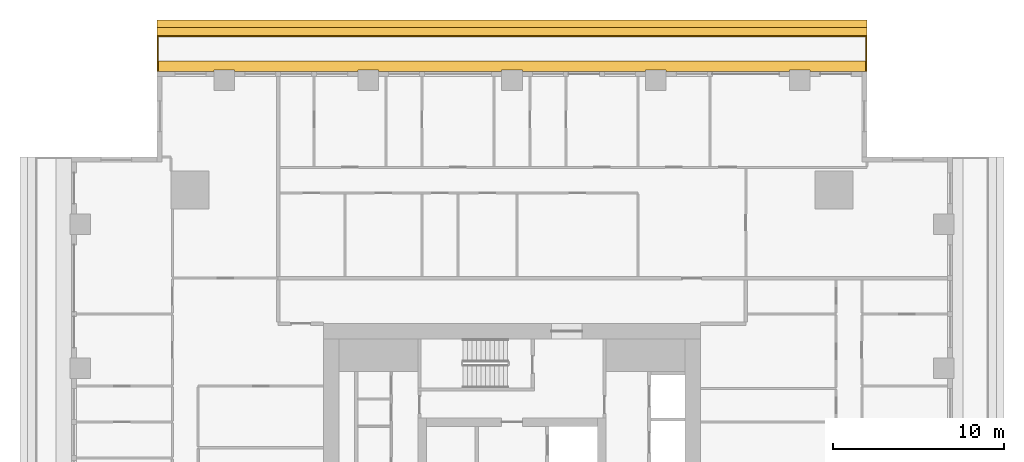
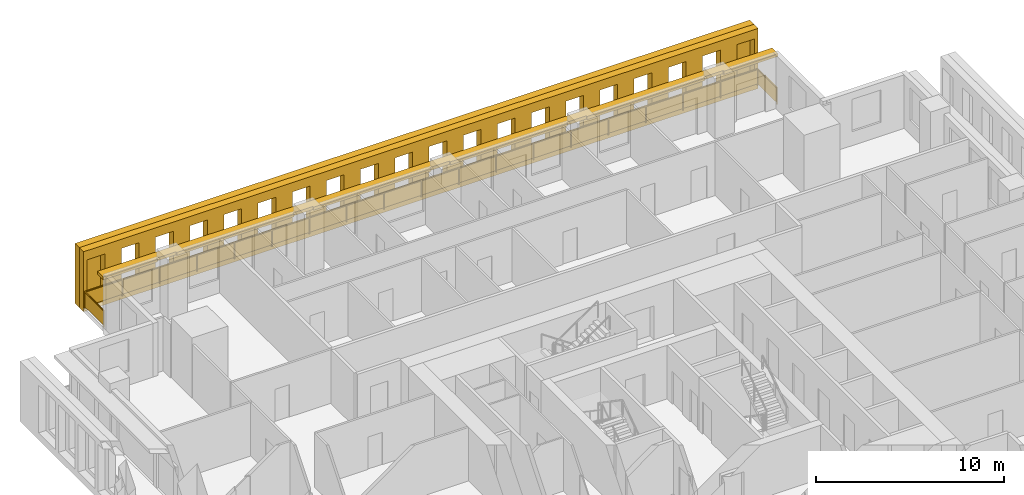
# One storey, part 14 of 14: 3 shading devices, 1 railing.
"""IFC4 building model written with IfcOpenShell, lengths in metres."""

from ifc_helpers import new_model, si_unit, direction, frame, origin, origin_2d, place, context, subcontext, project, spatial, polyline, rectangle, outline, extrude, material, layer, layer_set, type_object, element, save


model = new_model("IFC4")

# Units and contexts
model_context = context("Model", 3, precision=1e-05, world=origin(), true_north=direction((0.0, 1.0)))
body_context = subcontext(model_context, "Body", "Model", "MODEL_VIEW")
ifc_project = project(units=[si_unit("LENGTHUNIT", "METRE"), si_unit("AREAUNIT", "SQUARE_METRE"), si_unit("VOLUMEUNIT", "CUBIC_METRE"), si_unit("PLANEANGLEUNIT", "RADIAN"), si_unit("MASSUNIT", "GRAM", prefix="KILO")], contexts=[model_context])

# Site, building, storey
site_placement = place(None, origin())
site = spatial("IfcSite", under=ifc_project, at=site_placement, CompositionType="ELEMENT")
building_placement = place(site_placement, origin())
building = spatial("IfcBuilding", under=site, at=building_placement, Name="Khepri Terraces", CompositionType="ELEMENT")
storey_placement = place(building_placement, frame((0.0, 0.0, 279.60009765625)))
storey = spatial("IfcBuildingStorey", under=building, at=storey_placement, Name="L67", CompositionType="ELEMENT", Elevation=279.60009765625)

# Railing
ifc_material_1 = material(Name="Stainless steel grade 316", Category="steel")
railing_type = type_object("IfcRailingType", Name="GRD-BAL-1100", PredefinedType="GUARDRAIL", material=ifc_material_1)
railing_placement = place(storey_placement, frame((20.669921875, 25.719970703125, 0.0)))
element("IfcRailing", 1, at=railing_placement, inside=storey, type_object=railing_type, Name="Balcony guard L67 N", PredefinedType="GUARDRAIL", context=body_context, shape_type="SweptSolid", body=[
    extrude(rectangle(XDim=0.050048828125, YDim=0.06005859375, at=origin_2d()), frame((0.0, 0.0, 1.070068359375), z_axis=(0.0, 1.0, 0.0), x_axis=(-1.0, 0.0, 0.0)), (0.0, 0.0, 1.0), 2.050048828125),
    extrude(rectangle(XDim=2.0, YDim=0.011962890625, at=origin_2d()), frame((0.0, 1.02490234375, 0.10009765625), z_axis=(0.0, 0.0, 1.0), x_axis=(0.0, 1.0, 0.0)), (0.0, 0.0, 1.0), 0.93994140625),
    extrude(rectangle(XDim=0.050048828125, YDim=0.06005859375, at=origin_2d()), frame((0.0, 2.050048828125, 1.070068359375), z_axis=(-1.0, 0.0, 0.0), x_axis=(0.0, -1.0, 0.0)), (0.0, 0.0, 1.0), 41.33984375),
    extrude(rectangle(XDim=2.24658203125, YDim=0.011962890625, at=origin_2d()), frame((-1.1484375, 2.050048828125, 0.10009765625), z_axis=(0.0, 0.0, 1.0), x_axis=(-1.0, 0.0, 0.0)), (0.0, 0.0, 1.0), 0.93994140625),
    extrude(rectangle(XDim=2.24658203125, YDim=0.011962890625, at=origin_2d()), frame((-3.445068359375, 2.050048828125, 0.10009765625), z_axis=(0.0, 0.0, 1.0), x_axis=(-1.0, 0.0, 0.0)), (0.0, 0.0, 1.0), 0.93994140625),
    extrude(rectangle(XDim=2.24658203125, YDim=0.011962890625, at=origin_2d()), frame((-5.74169921875, 2.050048828125, 0.10009765625), z_axis=(0.0, 0.0, 1.0), x_axis=(-1.0, 0.0, 0.0)), (0.0, 0.0, 1.0), 0.93994140625),
    extrude(rectangle(XDim=2.24658203125, YDim=0.011962890625, at=origin_2d()), frame((-8.038330078125, 2.050048828125, 0.10009765625), z_axis=(0.0, 0.0, 1.0), x_axis=(-1.0, 0.0, 0.0)), (0.0, 0.0, 1.0), 0.93994140625),
    extrude(rectangle(XDim=2.24658203125, YDim=0.011962890625, at=origin_2d()), frame((-10.3349609375, 2.050048828125, 0.10009765625), z_axis=(0.0, 0.0, 1.0), x_axis=(-1.0, 0.0, 0.0)), (0.0, 0.0, 1.0), 0.93994140625),
    extrude(rectangle(XDim=2.24658203125, YDim=0.011962890625, at=origin_2d()), frame((-12.631591796875, 2.050048828125, 0.10009765625), z_axis=(0.0, 0.0, 1.0), x_axis=(-1.0, 0.0, 0.0)), (0.0, 0.0, 1.0), 0.93994140625),
    extrude(rectangle(XDim=2.24658203125, YDim=0.011962890625, at=origin_2d()), frame((-14.92822265625, 2.050048828125, 0.10009765625), z_axis=(0.0, 0.0, 1.0), x_axis=(-1.0, 0.0, 0.0)), (0.0, 0.0, 1.0), 0.93994140625),
    extrude(rectangle(XDim=2.24658203125, YDim=0.011962890625, at=origin_2d()), frame((-17.224853515625, 2.050048828125, 0.10009765625), z_axis=(0.0, 0.0, 1.0), x_axis=(-1.0, 0.0, 0.0)), (0.0, 0.0, 1.0), 0.93994140625),
    extrude(rectangle(XDim=2.24658203125, YDim=0.011962890625, at=origin_2d()), frame((-19.521484375, 2.050048828125, 0.10009765625), z_axis=(0.0, 0.0, 1.0), x_axis=(-1.0, 0.0, 0.0)), (0.0, 0.0, 1.0), 0.93994140625),
    extrude(rectangle(XDim=2.24658203125, YDim=0.011962890625, at=origin_2d()), frame((-21.818359375, 2.050048828125, 0.10009765625), z_axis=(0.0, 0.0, 1.0), x_axis=(-1.0, 0.0, 0.0)), (0.0, 0.0, 1.0), 0.93994140625),
    extrude(rectangle(XDim=2.24658203125, YDim=0.011962890625, at=origin_2d()), frame((-24.114990234375, 2.050048828125, 0.10009765625), z_axis=(0.0, 0.0, 1.0), x_axis=(-1.0, 0.0, 0.0)), (0.0, 0.0, 1.0), 0.93994140625),
    extrude(rectangle(XDim=2.24658203125, YDim=0.011962890625, at=origin_2d()), frame((-26.41162109375, 2.050048828125, 0.10009765625), z_axis=(0.0, 0.0, 1.0), x_axis=(-1.0, 0.0, 0.0)), (0.0, 0.0, 1.0), 0.93994140625),
    extrude(rectangle(XDim=2.24658203125, YDim=0.011962890625, at=origin_2d()), frame((-28.708251953125, 2.050048828125, 0.10009765625), z_axis=(0.0, 0.0, 1.0), x_axis=(-1.0, 0.0, 0.0)), (0.0, 0.0, 1.0), 0.93994140625),
    extrude(rectangle(XDim=2.24658203125, YDim=0.011962890625, at=origin_2d()), frame((-31.0048828125, 2.050048828125, 0.10009765625), z_axis=(0.0, 0.0, 1.0), x_axis=(-1.0, 0.0, 0.0)), (0.0, 0.0, 1.0), 0.93994140625),
    extrude(rectangle(XDim=2.24658203125, YDim=0.011962890625, at=origin_2d()), frame((-33.301513671875, 2.050048828125, 0.10009765625), z_axis=(0.0, 0.0, 1.0), x_axis=(-1.0, 0.0, 0.0)), (0.0, 0.0, 1.0), 0.93994140625),
    extrude(rectangle(XDim=2.24658203125, YDim=0.011962890625, at=origin_2d()), frame((-35.59814453125, 2.050048828125, 0.10009765625), z_axis=(0.0, 0.0, 1.0), x_axis=(-1.0, 0.0, 0.0)), (0.0, 0.0, 1.0), 0.93994140625),
    extrude(rectangle(XDim=2.24658203125, YDim=0.011962890625, at=origin_2d()), frame((-37.894775390625, 2.050048828125, 0.10009765625), z_axis=(0.0, 0.0, 1.0), x_axis=(-1.0, 0.0, 0.0)), (0.0, 0.0, 1.0), 0.93994140625),
    extrude(rectangle(XDim=2.24658203125, YDim=0.011962890625, at=origin_2d()), frame((-40.19140625, 2.050048828125, 0.10009765625), z_axis=(0.0, 0.0, 1.0), x_axis=(-1.0, 0.0, 0.0)), (0.0, 0.0, 1.0), 0.93994140625),
    extrude(rectangle(XDim=0.050048828125, YDim=0.06005859375, at=origin_2d()), frame((-41.33984375, 2.050048828125, 1.070068359375), z_axis=(0.0, -1.0, 0.0), x_axis=(1.0, 0.0, 0.0)), (0.0, 0.0, 1.0), 2.050048828125),
    extrude(rectangle(XDim=2.0, YDim=0.011962890625, at=origin_2d()), frame((-41.33984375, 1.02490234375, 0.10009765625), z_axis=(0.0, 0.0, 1.0), x_axis=(0.0, -1.0, 0.0)), (0.0, 0.0, 1.0), 0.93994140625),
    extrude(rectangle(XDim=0.050048828125, YDim=0.050048828125, at=origin_2d()), origin(), (0.0, 0.0, 1.0), 1.0400390625),
    extrude(rectangle(XDim=0.050048828125, YDim=0.050048828125, at=origin_2d()), frame((0.0, 2.050048828125, 0.0)), (0.0, 0.0, 1.0), 1.0400390625),
    extrude(rectangle(XDim=0.050048828125, YDim=0.050048828125, at=origin_2d()), frame((-2.296630859375, 2.050048828125, 0.0)), (0.0, 0.0, 1.0), 1.0400390625),
    extrude(rectangle(XDim=0.050048828125, YDim=0.050048828125, at=origin_2d()), frame((-4.59326171875, 2.050048828125, 0.0)), (0.0, 0.0, 1.0), 1.0400390625),
    extrude(rectangle(XDim=0.050048828125, YDim=0.050048828125, at=origin_2d()), frame((-6.889892578125, 2.050048828125, 0.0)), (0.0, 0.0, 1.0), 1.0400390625),
    extrude(rectangle(XDim=0.050048828125, YDim=0.050048828125, at=origin_2d()), frame((-9.1865234375, 2.050048828125, 0.0)), (0.0, 0.0, 1.0), 1.0400390625),
    extrude(rectangle(XDim=0.050048828125, YDim=0.050048828125, at=origin_2d()), frame((-11.4833984375, 2.050048828125, 0.0)), (0.0, 0.0, 1.0), 1.0400390625),
    extrude(rectangle(XDim=0.050048828125, YDim=0.050048828125, at=origin_2d()), frame((-13.780029296875, 2.050048828125, 0.0)), (0.0, 0.0, 1.0), 1.0400390625),
    extrude(rectangle(XDim=0.050048828125, YDim=0.050048828125, at=origin_2d()), frame((-16.07666015625, 2.050048828125, 0.0)), (0.0, 0.0, 1.0), 1.0400390625),
    extrude(rectangle(XDim=0.050048828125, YDim=0.050048828125, at=origin_2d()), frame((-18.373291015625, 2.050048828125, 0.0)), (0.0, 0.0, 1.0), 1.0400390625),
    extrude(rectangle(XDim=0.050048828125, YDim=0.050048828125, at=origin_2d()), frame((-20.669921875, 2.050048828125, 0.0)), (0.0, 0.0, 1.0), 1.0400390625),
    extrude(rectangle(XDim=0.050048828125, YDim=0.050048828125, at=origin_2d()), frame((-22.966552734375, 2.050048828125, 0.0)), (0.0, 0.0, 1.0), 1.0400390625),
    extrude(rectangle(XDim=0.050048828125, YDim=0.050048828125, at=origin_2d()), frame((-25.26318359375, 2.050048828125, 0.0)), (0.0, 0.0, 1.0), 1.0400390625),
    extrude(rectangle(XDim=0.050048828125, YDim=0.050048828125, at=origin_2d()), frame((-27.559814453125, 2.050048828125, 0.0)), (0.0, 0.0, 1.0), 1.0400390625),
    extrude(rectangle(XDim=0.050048828125, YDim=0.050048828125, at=origin_2d()), frame((-29.8564453125, 2.050048828125, 0.0)), (0.0, 0.0, 1.0), 1.0400390625),
    extrude(rectangle(XDim=0.050048828125, YDim=0.050048828125, at=origin_2d()), frame((-32.1533203125, 2.050048828125, 0.0)), (0.0, 0.0, 1.0), 1.0400390625),
    extrude(rectangle(XDim=0.050048828125, YDim=0.050048828125, at=origin_2d()), frame((-34.449951171875, 2.050048828125, 0.0)), (0.0, 0.0, 1.0), 1.0400390625),
    extrude(rectangle(XDim=0.050048828125, YDim=0.050048828125, at=origin_2d()), frame((-36.74658203125, 2.050048828125, 0.0)), (0.0, 0.0, 1.0), 1.0400390625),
    extrude(rectangle(XDim=0.050048828125, YDim=0.050048828125, at=origin_2d()), frame((-39.043212890625, 2.050048828125, 0.0)), (0.0, 0.0, 1.0), 1.0400390625),
    extrude(rectangle(XDim=0.050048828125, YDim=0.050048828125, at=origin_2d()), frame((-41.33984375, 2.050048828125, 0.0)), (0.0, 0.0, 1.0), 1.0400390625),
    extrude(rectangle(XDim=0.050048828125, YDim=0.050048828125, at=origin_2d()), frame((-41.33984375, 0.0, 0.0)), (0.0, 0.0, 1.0), 1.0400390625),
])

# Shading devices
ifc_material_2 = material(Name="Precast concrete C50/60 warm stone", Category="masonry")
shading_device_type_1 = type_object("IfcShadingDeviceType", Name="SCR-CELL-INNER-450", PredefinedType="USERDEFINED", material=ifc_material_2)
shading_device_1_placement = place(storey_placement, frame((20.719970703125, 27.820068359375, -0.25), z_axis=(0.0, 1.0, 0.0), x_axis=(-1.0, 0.0, 0.0)))
element("IfcShadingDevice", 2, at=shading_device_1_placement, inside=storey, type_object=shading_device_type_1, Name="Cell screen L67 N in", ObjectType="SCREEN", PredefinedType="USERDEFINED", context=body_context, shape_type="SweptSolid", body=[
    extrude(outline(polyline([(0.0, 0.0), (41.43994140625, 0.0), (41.43994140625, 3.89990234375), (0.0, 3.89990234375), (0.0, 0.0)]), holes=[polyline([(0.2265625, 0.699951171875), (1.3134765625, 0.699951171875), (1.3134765625, 3.300048828125), (0.2265625, 3.300048828125), (0.2265625, 0.699951171875)]), polyline([(2.32666015625, 0.699951171875), (3.413330078125, 0.699951171875), (3.413330078125, 3.300048828125), (2.32666015625, 3.300048828125), (2.32666015625, 0.699951171875)]), polyline([(4.426513671875, 0.699951171875), (5.513427734375, 0.699951171875), (5.513427734375, 3.300048828125), (4.426513671875, 3.300048828125), (4.426513671875, 0.699951171875)]), polyline([(6.526611328125, 0.699951171875), (7.61328125, 0.699951171875), (7.61328125, 3.300048828125), (6.526611328125, 3.300048828125), (6.526611328125, 0.699951171875)]), polyline([(8.626708984375, 0.699951171875), (9.71337890625, 0.699951171875), (9.71337890625, 3.300048828125), (8.626708984375, 3.300048828125), (8.626708984375, 0.699951171875)]), polyline([(10.7265625, 0.699951171875), (11.8134765625, 0.699951171875), (11.8134765625, 3.300048828125), (10.7265625, 3.300048828125), (10.7265625, 0.699951171875)]), polyline([(12.82666015625, 0.699951171875), (13.913330078125, 0.699951171875), (13.913330078125, 3.300048828125), (12.82666015625, 3.300048828125), (12.82666015625, 0.699951171875)]), polyline([(14.926513671875, 0.699951171875), (16.013427734375, 0.699951171875), (16.013427734375, 3.300048828125), (14.926513671875, 3.300048828125), (14.926513671875, 0.699951171875)]), polyline([(17.026611328125, 0.699951171875), (18.11328125, 0.699951171875), (18.11328125, 3.300048828125), (17.026611328125, 3.300048828125), (17.026611328125, 0.699951171875)]), polyline([(19.126708984375, 0.699951171875), (20.21337890625, 0.699951171875), (20.21337890625, 3.300048828125), (19.126708984375, 3.300048828125), (19.126708984375, 0.699951171875)]), polyline([(21.2265625, 0.699951171875), (22.3134765625, 0.699951171875), (22.3134765625, 3.300048828125), (21.2265625, 3.300048828125), (21.2265625, 0.699951171875)]), polyline([(23.32666015625, 0.699951171875), (24.413330078125, 0.699951171875), (24.413330078125, 3.300048828125), (23.32666015625, 3.300048828125), (23.32666015625, 0.699951171875)]), polyline([(25.426513671875, 0.699951171875), (26.513427734375, 0.699951171875), (26.513427734375, 3.300048828125), (25.426513671875, 3.300048828125), (25.426513671875, 0.699951171875)]), polyline([(27.526611328125, 0.699951171875), (28.61328125, 0.699951171875), (28.61328125, 3.300048828125), (27.526611328125, 3.300048828125), (27.526611328125, 0.699951171875)]), polyline([(29.626708984375, 0.699951171875), (30.71337890625, 0.699951171875), (30.71337890625, 3.300048828125), (29.626708984375, 3.300048828125), (29.626708984375, 0.699951171875)]), polyline([(31.7265625, 0.699951171875), (32.8134765625, 0.699951171875), (32.8134765625, 3.300048828125), (31.7265625, 3.300048828125), (31.7265625, 0.699951171875)]), polyline([(33.82666015625, 0.699951171875), (34.913330078125, 0.699951171875), (34.913330078125, 3.300048828125), (33.82666015625, 3.300048828125), (33.82666015625, 0.699951171875)]), polyline([(35.926513671875, 0.699951171875), (37.013427734375, 0.699951171875), (37.013427734375, 3.300048828125), (35.926513671875, 3.300048828125), (35.926513671875, 0.699951171875)]), polyline([(38.026611328125, 0.699951171875), (39.11328125, 0.699951171875), (39.11328125, 3.300048828125), (38.026611328125, 3.300048828125), (38.026611328125, 0.699951171875)]), polyline([(40.126708984375, 0.699951171875), (41.21337890625, 0.699951171875), (41.21337890625, 3.300048828125), (40.126708984375, 3.300048828125), (40.126708984375, 0.699951171875)])]), origin(), (0.0, 0.0, 1.0), 0.449951171875),
])
shading_device_type_2 = type_object("IfcShadingDeviceType", Name="SCR-CELL-OUTER-450", PredefinedType="USERDEFINED", material=ifc_material_2)
shading_device_2_placement = place(storey_placement, frame((20.719970703125, 28.27001953125, -0.25), z_axis=(0.0, 1.0, 0.0), x_axis=(-1.0, 0.0, 0.0)))
element("IfcShadingDevice", 3, at=shading_device_2_placement, inside=storey, type_object=shading_device_type_2, Name="Cell screen L67 N out", ObjectType="SCREEN", PredefinedType="USERDEFINED", context=body_context, shape_type="SweptSolid", body=[
    extrude(outline(polyline([(0.0, 0.0), (41.43994140625, 0.0), (41.43994140625, 3.89990234375), (0.0, 3.89990234375), (0.0, 0.0)]), holes=[polyline([(1.9765625, 0.449951171875), (3.763427734375, 0.449951171875), (3.763427734375, 3.550048828125), (1.9765625, 3.550048828125), (1.9765625, 0.449951171875)]), polyline([(4.07666015625, 0.449951171875), (5.86328125, 0.449951171875), (5.86328125, 3.550048828125), (4.07666015625, 3.550048828125), (4.07666015625, 0.449951171875)]), polyline([(6.176513671875, 0.449951171875), (7.96337890625, 0.449951171875), (7.96337890625, 3.550048828125), (6.176513671875, 3.550048828125), (6.176513671875, 0.449951171875)]), polyline([(8.276611328125, 0.449951171875), (10.0634765625, 0.449951171875), (10.0634765625, 3.550048828125), (8.276611328125, 3.550048828125), (8.276611328125, 0.449951171875)]), polyline([(10.376708984375, 0.449951171875), (12.163330078125, 0.449951171875), (12.163330078125, 3.550048828125), (10.376708984375, 3.550048828125), (10.376708984375, 0.449951171875)]), polyline([(12.4765625, 0.449951171875), (14.263427734375, 0.449951171875), (14.263427734375, 3.550048828125), (12.4765625, 3.550048828125), (12.4765625, 0.449951171875)]), polyline([(14.57666015625, 0.449951171875), (16.36328125, 0.449951171875), (16.36328125, 3.550048828125), (14.57666015625, 3.550048828125), (14.57666015625, 0.449951171875)]), polyline([(16.676513671875, 0.449951171875), (18.46337890625, 0.449951171875), (18.46337890625, 3.550048828125), (16.676513671875, 3.550048828125), (16.676513671875, 0.449951171875)]), polyline([(18.776611328125, 0.449951171875), (20.5634765625, 0.449951171875), (20.5634765625, 3.550048828125), (18.776611328125, 3.550048828125), (18.776611328125, 0.449951171875)]), polyline([(20.876708984375, 0.449951171875), (22.663330078125, 0.449951171875), (22.663330078125, 3.550048828125), (20.876708984375, 3.550048828125), (20.876708984375, 0.449951171875)]), polyline([(22.9765625, 0.449951171875), (24.763427734375, 0.449951171875), (24.763427734375, 3.550048828125), (22.9765625, 3.550048828125), (22.9765625, 0.449951171875)]), polyline([(25.07666015625, 0.449951171875), (26.86328125, 0.449951171875), (26.86328125, 3.550048828125), (25.07666015625, 3.550048828125), (25.07666015625, 0.449951171875)]), polyline([(27.176513671875, 0.449951171875), (28.96337890625, 0.449951171875), (28.96337890625, 3.550048828125), (27.176513671875, 3.550048828125), (27.176513671875, 0.449951171875)]), polyline([(29.276611328125, 0.449951171875), (31.0634765625, 0.449951171875), (31.0634765625, 3.550048828125), (29.276611328125, 3.550048828125), (29.276611328125, 0.449951171875)]), polyline([(31.376708984375, 0.449951171875), (33.163330078125, 0.449951171875), (33.163330078125, 3.550048828125), (31.376708984375, 3.550048828125), (31.376708984375, 0.449951171875)]), polyline([(33.4765625, 0.449951171875), (35.263427734375, 0.449951171875), (35.263427734375, 3.550048828125), (33.4765625, 3.550048828125), (33.4765625, 0.449951171875)]), polyline([(35.57666015625, 0.449951171875), (37.36328125, 0.449951171875), (37.36328125, 3.550048828125), (35.57666015625, 3.550048828125), (35.57666015625, 0.449951171875)]), polyline([(37.676513671875, 0.449951171875), (39.46337890625, 0.449951171875), (39.46337890625, 3.550048828125), (37.676513671875, 3.550048828125), (37.676513671875, 0.449951171875)])]), origin(), (0.0, 0.0, 1.0), 0.449951171875),
])
ifc_layer = layer(ifc_material_2, 0.199951171875, Name="Precast concrete C50/60 warm stone", Category="masonry")
ifc_layer_set = layer_set([ifc_layer], Name="Precast concrete C50/60 warm stone")
shading_device_type_3 = type_object("IfcShadingDeviceType", Name="SSH-BAND-STONE-200-N", PredefinedType="USERDEFINED", material=ifc_layer_set)
shading_device_3_placement = place(storey_placement, frame((0.0, 0.0, 3.099853515625)))
element("IfcShadingDevice", 4, at=shading_device_3_placement, inside=storey, type_object=shading_device_type_3, Name="Sunshade band L67 N", ObjectType="SUNSHADE", PredefinedType="USERDEFINED", context=body_context, shape_type="SweptSolid", body=[
    extrude(outline(polyline([(17.39990234375, 25.719970703125), (20.719970703125, 25.719970703125), (20.719970703125, 26.320068359375), (-20.719970703125, 26.320068359375), (-20.719970703125, 25.719970703125), (-17.39990234375, 25.719970703125), (-17.39990234375, 25.800048828125), (-16.199951171875, 25.800048828125), (-16.199951171875, 25.719970703125), (-9.0, 25.719970703125), (-9.0, 25.800048828125), (-7.800048828125, 25.800048828125), (-7.800048828125, 25.719970703125), (-0.60009765625, 25.719970703125), (-0.60009765625, 25.800048828125), (0.60009765625, 25.800048828125), (0.60009765625, 25.719970703125), (7.800048828125, 25.719970703125), (7.800048828125, 25.800048828125), (9.0, 25.800048828125), (9.0, 25.719970703125), (16.199951171875, 25.719970703125), (16.199951171875, 25.800048828125), (17.39990234375, 25.800048828125), (17.39990234375, 25.719970703125)])), origin(), (0.0, 0.0, 1.0), 0.199951171875),
])

save(model, "model.ifc")
